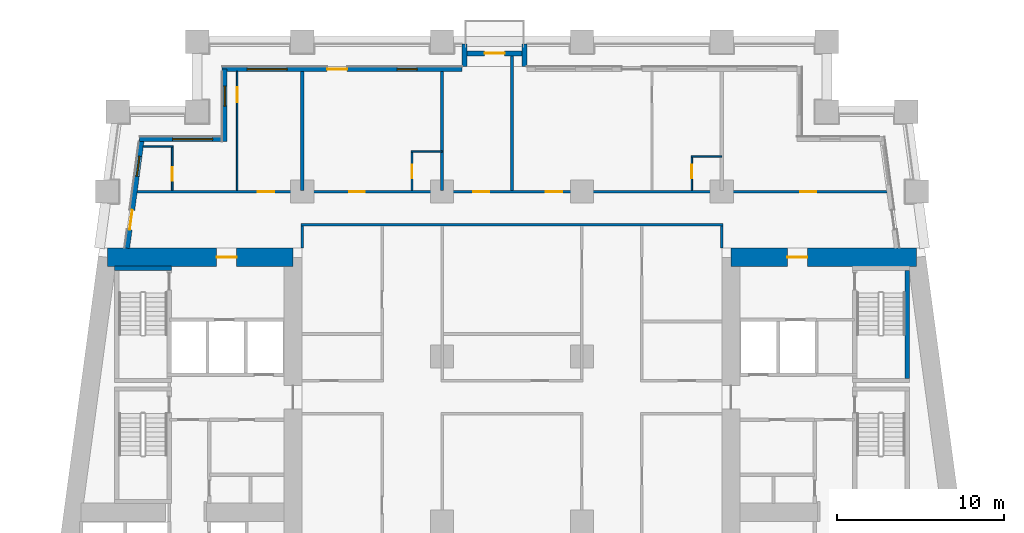
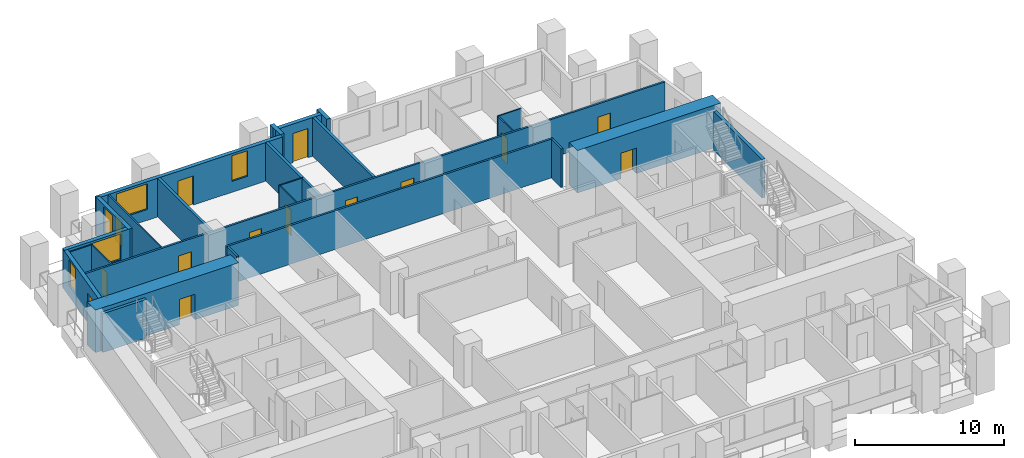
# One storey, part 6 of 12: 25 walls, 14 doors, 5 windows, 19 openings.
"""IFC4 building model written with IfcOpenShell, lengths in metres."""

from ifc_helpers import new_model, si_unit, direction, frame, frame_2d, origin, place, context, subcontext, project, spatial, rectangle, extrude, material, layer, layer_set, type_object, element, fill, save


model = new_model("IFC4")

# Units and contexts
model_context = context("Model", 3, precision=1e-05, world=origin(), true_north=direction((0.0, 1.0)))
body_context = subcontext(model_context, "Body", "Model", "MODEL_VIEW")
ifc_project = project(units=[si_unit("LENGTHUNIT", "METRE"), si_unit("AREAUNIT", "SQUARE_METRE"), si_unit("VOLUMEUNIT", "CUBIC_METRE"), si_unit("PLANEANGLEUNIT", "RADIAN"), si_unit("MASSUNIT", "GRAM", prefix="KILO")], contexts=[model_context])

# Site, building, storey
site_placement = place(None, origin())
site = spatial("IfcSite", under=ifc_project, at=site_placement, CompositionType="ELEMENT")
building_placement = place(site_placement, origin())
building = spatial("IfcBuilding", under=site, at=building_placement, Name="Candeia Pilgrim Tower and Theatre", CompositionType="ELEMENT")
storey_placement = place(building_placement, frame((0.0, 0.0, 46.0)))
storey = spatial("IfcBuildingStorey", under=building, at=storey_placement, Name="L08", CompositionType="ELEMENT", Elevation=46.0)

# Wall, opening, door
ifc_material_1 = material(Name="Concrete C80/95", Category="concrete")
ifc_layer_1 = layer(ifc_material_1, 1.10009765625)
ifc_layer_set_1 = layer_set([ifc_layer_1], Name="Core wall 1100 C80/95")
wall_type_1 = type_object("IfcWallType", Name="Core wall 1100 C80/95", PredefinedType="SHEAR", material=ifc_layer_set_1)
wall_1_placement = place(storey_placement, frame((89.111572265625, 131.85009765625, 0.0), z_axis=(0.0, 0.0, 1.0), x_axis=(1.0, 0.0, 0.0)))
wall_1 = element("IfcWall", 1, at=wall_1_placement, inside=storey, type_object=wall_type_1, Name="Core wall W1", PredefinedType="SHEAR", context=body_context, shape_type="SweptSolid", body=[
    extrude(rectangle(XDim=11.138427734375, YDim=1.10009765625, at=frame_2d((5.5693359375, 0.0))), origin(), (0.0, 0.0, 1.0), 3.5),
])
opening_1_placement = place(wall_1_placement, frame((6.5517578125, 0.0, 0.0)))
opening_1 = element("IfcOpeningElement", 2, at=opening_1_placement, cuts=wall_1, Name="Opening L08-D054", PredefinedType="OPENING", context=body_context, shape_type="SweptSolid", body=[
    extrude(rectangle(XDim=1.199951171875, YDim=2.10009765625, at=frame_2d((0.60009765625, 1.050048828125))), frame((0.0, 0.56005859375, 0.0), z_axis=(0.0, -1.0, 0.0), x_axis=(1.0, 0.0, 0.0)), (0.0, 0.0, 1.0), 1.1201171875),
])
ifc_material_2 = material(Name="Steel fire door set", Category="steel")
door_type_1 = type_object("IfcDoorType", Name="D-1200-FD60", OperationType="NOTDEFINED", PredefinedType="DOOR", material=ifc_material_2)
door_1_placement = place(opening_1_placement, origin())
door_1 = element("IfcDoor", 3, at=door_1_placement, inside=storey, type_object=door_type_1, Name="Door L08-D054", OperationType="SINGLE_SWING_RIGHT", OverallHeight=2.10009765625, OverallWidth=1.199951171875, PredefinedType="DOOR", context=body_context, shape_type="SweptSolid", body=[
    extrude(rectangle(XDim=1.199951171875, YDim=2.10009765625, at=frame_2d((0.60009765625, 1.050048828125))), frame((0.0, 0.02490234375, 0.0), z_axis=(0.0, -1.0, 0.0), x_axis=(1.0, 0.0, 0.0)), (0.0, 0.0, 1.0), 0.050048828125),
])
fill(opening_1, door_1)

wall_2_placement = place(storey_placement, frame((126.550048828125, 131.85009765625, 0.0), z_axis=(0.0, 0.0, 1.0), x_axis=(1.0, 0.0, 0.0)))
wall_2 = element("IfcWall", 4, at=wall_2_placement, inside=storey, type_object=wall_type_1, Name="Core wall E1", PredefinedType="SHEAR", context=body_context, shape_type="SweptSolid", body=[
    extrude(rectangle(XDim=11.13818359375, YDim=1.10009765625, at=frame_2d((5.569091796875, 0.0))), origin(), (0.0, 0.0, 1.0), 3.5),
])
opening_2_placement = place(wall_2_placement, frame((3.386474609375, 0.0, 0.0)))
opening_2 = element("IfcOpeningElement", 5, at=opening_2_placement, cuts=wall_2, Name="Opening L08-D057", PredefinedType="OPENING", context=body_context, shape_type="SweptSolid", body=[
    extrude(rectangle(XDim=1.199951171875, YDim=2.10009765625, at=frame_2d((0.60009765625, 1.050048828125))), frame((0.0, 0.56005859375, 0.0), z_axis=(0.0, -1.0, 0.0), x_axis=(1.0, 0.0, 0.0)), (0.0, 0.0, 1.0), 1.1201171875),
])
door_2_placement = place(opening_2_placement, origin())
door_2 = element("IfcDoor", 6, at=door_2_placement, inside=storey, type_object=door_type_1, Name="Door L08-D057", OperationType="SINGLE_SWING_LEFT", OverallHeight=2.10009765625, OverallWidth=1.199951171875, PredefinedType="DOOR", context=body_context, shape_type="SweptSolid", body=[
    extrude(rectangle(XDim=1.199951171875, YDim=2.10009765625, at=frame_2d((0.60009765625, 1.050048828125))), frame((0.0, 0.02490234375, 0.0), z_axis=(0.0, -1.0, 0.0), x_axis=(1.0, 0.0, 0.0)), (0.0, 0.0, 1.0), 0.050048828125),
])
fill(opening_2, door_2)

# Wall, openings, door, windows
ifc_material_3 = material(Name="Ceramic block masonry", Category="masonry")
ifc_layer_2 = layer(ifc_material_3, 0.300048828125)
ifc_layer_set_2 = layer_set([ifc_layer_2], Name="EW1 glazing-line wall 300")
wall_type_2 = type_object("IfcWallType", Name="EW1 glazing-line wall 300", PredefinedType="SOLIDWALL", material=ifc_layer_set_2)
wall_3_placement = place(storey_placement, frame((110.39990234375, 143.14990234375, 0.0), z_axis=(0.0, 0.0, 1.0), x_axis=(-1.0, 0.0, 0.0)))
wall_3 = element("IfcWall", 7, at=wall_3_placement, inside=storey, type_object=wall_type_2, Name="External wall L08-6.1", PredefinedType="SOLIDWALL", context=body_context, shape_type="SweptSolid", body=[
    extrude(rectangle(XDim=14.39990234375, YDim=0.300048828125, at=frame_2d((7.199951171875, 0.0))), origin(), (0.0, 0.0, 1.0), 3.179931640625),
])
opening_3_placement = place(wall_3_placement, frame((2.699951171875, 0.0, 0.89990234375)))
opening_3 = element("IfcOpeningElement", 8, at=opening_3_placement, cuts=wall_3, Name="Opening W-B", PredefinedType="OPENING", context=body_context, shape_type="SweptSolid", body=[
    extrude(rectangle(XDim=1.199951171875, YDim=2.10009765625, at=frame_2d((0.60009765625, 1.050048828125))), frame((0.0, 0.16015625, 0.0), z_axis=(0.0, -1.0, 0.0), x_axis=(1.0, 0.0, 0.0)), (0.0, 0.0, 1.0), 0.320068359375),
])
opening_4_placement = place(wall_3_placement, frame((6.89990234375, 0.0, 0.0)))
opening_4 = element("IfcOpeningElement", 9, at=opening_4_placement, cuts=wall_3, Name="Opening L08-ED105", PredefinedType="OPENING", context=body_context, shape_type="SweptSolid", body=[
    extrude(rectangle(XDim=1.199951171875, YDim=2.39990234375, at=frame_2d((0.60009765625, 1.199951171875))), frame((0.0, 0.16015625, 0.0), z_axis=(0.0, -1.0, 0.0), x_axis=(1.0, 0.0, 0.0)), (0.0, 0.0, 1.0), 0.320068359375),
])
opening_5_placement = place(wall_3_placement, frame((10.5, 0.0, 0.89990234375)))
opening_5 = element("IfcOpeningElement", 10, at=opening_5_placement, cuts=wall_3, Name="Opening W-A", PredefinedType="OPENING", context=body_context, shape_type="SweptSolid", body=[
    extrude(rectangle(XDim=2.39990234375, YDim=2.10009765625, at=frame_2d((1.199951171875, 1.050048828125))), frame((0.0, 0.16015625, 0.0), z_axis=(0.0, -1.0, 0.0), x_axis=(1.0, 0.0, 0.0)), (0.0, 0.0, 1.0), 0.320068359375),
])
ifc_material_4 = material(Name="Aluminium framed glazed door", Category="aluminium")
door_type_2 = type_object("IfcDoorType", Name="Loggia door 1200x2400", OperationType="DOUBLE_DOOR_SINGLE_SWING", PredefinedType="DOOR", material=ifc_material_4)
door_3_placement = place(opening_4_placement, origin())
door_3 = element("IfcDoor", 11, at=door_3_placement, inside=storey, type_object=door_type_2, Name="Loggia door L08-ED105", OperationType="DOUBLE_DOOR_SINGLE_SWING", OverallHeight=2.39990234375, OverallWidth=1.199951171875, PredefinedType="DOOR", context=body_context, shape_type="SweptSolid", body=[
    extrude(rectangle(XDim=1.199951171875, YDim=2.39990234375, at=frame_2d((0.60009765625, 1.199951171875))), frame((0.0, 0.02490234375, 0.0), z_axis=(0.0, -1.0, 0.0), x_axis=(1.0, 0.0, 0.0)), (0.0, 0.0, 1.0), 0.050048828125),
])
fill(opening_4, door_3)
ifc_material_5 = material(Name="Aluminium framed double glazing", Category="aluminium")
window_type_1 = type_object("IfcWindowType", Name="W-A window 2400x2100", PartitioningType="DOUBLE_PANEL_VERTICAL", PredefinedType="WINDOW", material=ifc_material_5)
window_1_placement = place(opening_5_placement, origin())
window_1 = element("IfcWindow", 12, at=window_1_placement, inside=storey, type_object=window_type_1, Name="Window W-A L08", OverallHeight=2.10009765625, OverallWidth=2.39990234375, PartitioningType="SINGLE_PANEL", PredefinedType="WINDOW", context=body_context, shape_type="SweptSolid", body=[
    extrude(rectangle(XDim=2.39990234375, YDim=2.10009765625, at=frame_2d((1.199951171875, 1.050048828125))), frame((0.0, 0.030029296875, 0.0), z_axis=(0.0, -1.0, 0.0), x_axis=(1.0, 0.0, 0.0)), (0.0, 0.0, 1.0), 0.06005859375),
])
fill(opening_5, window_1)
window_type_2 = type_object("IfcWindowType", Name="W-B window 1200x2100", PartitioningType="SINGLE_PANEL", PredefinedType="WINDOW", material=ifc_material_5)
window_2_placement = place(opening_3_placement, origin())
window_2 = element("IfcWindow", 13, at=window_2_placement, inside=storey, type_object=window_type_2, Name="Window W-B L08", OverallHeight=2.10009765625, OverallWidth=1.199951171875, PartitioningType="SINGLE_PANEL", PredefinedType="WINDOW", context=body_context, shape_type="SweptSolid", body=[
    extrude(rectangle(XDim=1.199951171875, YDim=2.10009765625, at=frame_2d((0.60009765625, 1.050048828125))), frame((0.0, 0.030029296875, 0.0), z_axis=(0.0, -1.0, 0.0), x_axis=(1.0, 0.0, 0.0)), (0.0, 0.0, 1.0), 0.06005859375),
])
fill(opening_3, window_2)

# Wall, opening, window
wall_4_placement = place(storey_placement, frame((96.14990234375, 143.14990234375, 0.0), z_axis=(0.0, 0.0, 1.0), x_axis=(0.0, -1.0, 0.0)))
wall_4 = element("IfcWall", 14, at=wall_4_placement, inside=storey, type_object=wall_type_2, Name="External wall L08-7.0", PredefinedType="SOLIDWALL", context=body_context, shape_type="SweptSolid", body=[
    extrude(rectangle(XDim=4.349853515625, YDim=0.300048828125, at=frame_2d((2.1748046875, 0.0))), origin(), (0.0, 0.0, 1.0), 3.179931640625),
])
opening_6_placement = place(wall_4_placement, frame((1.02490234375, 0.0, 0.89990234375)))
opening_6 = element("IfcOpeningElement", 15, at=opening_6_placement, cuts=wall_4, Name="Opening W-B", PredefinedType="OPENING", context=body_context, shape_type="SweptSolid", body=[
    extrude(rectangle(XDim=1.199951171875, YDim=2.10009765625, at=frame_2d((0.60009765625, 1.050048828125))), frame((0.0, 0.16015625, 0.0), z_axis=(0.0, -1.0, 0.0), x_axis=(1.0, 0.0, 0.0)), (0.0, 0.0, 1.0), 0.320068359375),
])
window_3_placement = place(opening_6_placement, origin())
window_3 = element("IfcWindow", 16, at=window_3_placement, inside=storey, type_object=window_type_2, Name="Window W-B L08", OverallHeight=2.10009765625, OverallWidth=1.199951171875, PartitioningType="SINGLE_PANEL", PredefinedType="WINDOW", context=body_context, shape_type="SweptSolid", body=[
    extrude(rectangle(XDim=1.199951171875, YDim=2.10009765625, at=frame_2d((0.60009765625, 1.050048828125))), frame((0.0, 0.030029296875, 0.0), z_axis=(0.0, -1.0, 0.0), x_axis=(1.0, 0.0, 0.0)), (0.0, 0.0, 1.0), 0.06005859375),
])
fill(opening_6, window_3)

wall_5_placement = place(storey_placement, frame((96.14990234375, 138.949951171875, 0.0), z_axis=(0.0, 0.0, 1.0), x_axis=(-1.0, 0.0, 0.0)))
wall_5 = element("IfcWall", 17, at=wall_5_placement, inside=storey, type_object=wall_type_2, Name="External wall L08-8.0", PredefinedType="SOLIDWALL", context=body_context, shape_type="SweptSolid", body=[
    extrude(rectangle(XDim=5.103759765625, YDim=0.300048828125, at=frame_2d((2.5517578125, 0.0))), origin(), (0.0, 0.0, 1.0), 3.179931640625),
])
opening_7_placement = place(wall_5_placement, frame((0.72509765625, 0.0, 0.89990234375)))
opening_7 = element("IfcOpeningElement", 18, at=opening_7_placement, cuts=wall_5, Name="Opening W-A", PredefinedType="OPENING", context=body_context, shape_type="SweptSolid", body=[
    extrude(rectangle(XDim=2.39990234375, YDim=2.10009765625, at=frame_2d((1.199951171875, 1.050048828125))), frame((0.0, 0.16015625, 0.0), z_axis=(0.0, -1.0, 0.0), x_axis=(1.0, 0.0, 0.0)), (0.0, 0.0, 1.0), 0.320068359375),
])
window_4_placement = place(opening_7_placement, origin())
window_4 = element("IfcWindow", 19, at=window_4_placement, inside=storey, type_object=window_type_1, Name="Window W-A L08", OverallHeight=2.10009765625, OverallWidth=2.39990234375, PartitioningType="SINGLE_PANEL", PredefinedType="WINDOW", context=body_context, shape_type="SweptSolid", body=[
    extrude(rectangle(XDim=2.39990234375, YDim=2.10009765625, at=frame_2d((1.199951171875, 1.050048828125))), frame((0.0, 0.030029296875, 0.0), z_axis=(0.0, -1.0, 0.0), x_axis=(1.0, 0.0, 0.0)), (0.0, 0.0, 1.0), 0.06005859375),
])
fill(opening_7, window_4)

# Wall, openings, door, window
wall_6_placement = place(storey_placement, frame((91.177490234375, 138.949951171875, 0.0), z_axis=(0.0, 0.0, 1.0), x_axis=(-0.133426664613, -0.991058689065, 0.0)))
wall_6 = element("IfcWall", 20, at=wall_6_placement, inside=storey, type_object=wall_type_2, Name="External wall L08-9.0", PredefinedType="SOLIDWALL", context=body_context, shape_type="SweptSolid", body=[
    extrude(rectangle(XDim=6.609130859375, YDim=0.300048828125, at=frame_2d((3.3046875, 0.0))), origin(), (0.0, 0.0, 1.0), 3.179931640625),
])
opening_8_placement = place(wall_6_placement, frame((1.039306640625, 0.0, 0.89990234375)))
opening_8 = element("IfcOpeningElement", 21, at=opening_8_placement, cuts=wall_6, Name="Opening W-B", PredefinedType="OPENING", context=body_context, shape_type="SweptSolid", body=[
    extrude(rectangle(XDim=1.199951171875, YDim=2.10009765625, at=frame_2d((0.60009765625, 1.050048828125))), frame((0.0, 0.16015625, 0.0), z_axis=(0.0, -1.0, 0.0), x_axis=(1.0, 0.0, 0.0)), (0.0, 0.0, 1.0), 0.320068359375),
])
opening_9_placement = place(wall_6_placement, frame((4.293701171875, 0.0, 0.0)))
opening_9 = element("IfcOpeningElement", 22, at=opening_9_placement, cuts=wall_6, Name="Opening L08-ED107", PredefinedType="OPENING", context=body_context, shape_type="SweptSolid", body=[
    extrude(rectangle(XDim=1.199951171875, YDim=2.39990234375, at=frame_2d((0.60009765625, 1.199951171875))), frame((0.0, 0.16015625, 0.0), z_axis=(0.0, -1.0, 0.0), x_axis=(1.0, 0.0, 0.0)), (0.0, 0.0, 1.0), 0.320068359375),
])
door_4_placement = place(opening_9_placement, origin())
door_4 = element("IfcDoor", 23, at=door_4_placement, inside=storey, type_object=door_type_2, Name="Loggia door L08-ED107", OperationType="DOUBLE_DOOR_SINGLE_SWING", OverallHeight=2.39990234375, OverallWidth=1.199951171875, PredefinedType="DOOR", context=body_context, shape_type="SweptSolid", body=[
    extrude(rectangle(XDim=1.199951171875, YDim=2.39990234375, at=frame_2d((0.60009765625, 1.199951171875))), frame((0.0, 0.02490234375, 0.0), z_axis=(0.0, -1.0, 0.0), x_axis=(1.0, 0.0, 0.0)), (0.0, 0.0, 1.0), 0.050048828125),
])
fill(opening_9, door_4)
window_5_placement = place(opening_8_placement, origin())
window_5 = element("IfcWindow", 24, at=window_5_placement, inside=storey, type_object=window_type_2, Name="Window W-B L08", OverallHeight=2.10009765625, OverallWidth=1.199951171875, PartitioningType="SINGLE_PANEL", PredefinedType="WINDOW", context=body_context, shape_type="SweptSolid", body=[
    extrude(rectangle(XDim=1.199951171875, YDim=2.10009765625, at=frame_2d((0.60009765625, 1.050048828125))), frame((0.0, 0.030029296875, 0.0), z_axis=(0.0, -1.0, 0.0), x_axis=(1.0, 0.0, 0.0)), (0.0, 0.0, 1.0), 0.06005859375),
])
fill(opening_8, window_5)

# Walls
ifc_layer_3 = layer(ifc_material_3, 0.300048828125)
ifc_layer_set_3 = layer_set([ifc_layer_3], Name="EW2 entrance infill wall 300")
wall_type_3 = type_object("IfcWallType", Name="EW2 entrance infill wall 300", PredefinedType="SOLIDWALL", material=ifc_layer_set_3)
for number, where, z_axis, x_axis, name in (
    (25, (114.14990234375, 143.300048828125, 0.0), (0.0, 0.0, 1.0), (0.0, 1.0, 0.0), "Alcove wall L08"),
    (26, (110.550048828125, 143.300048828125, 0.0), (0.0, 0.0, 1.0), (0.0, 1.0, 0.0), "Alcove wall L08"),
):
    element("IfcWall", number, at=place(storey_placement, frame(where, z_axis=z_axis, x_axis=x_axis)), inside=storey, type_object=wall_type_3, Name=name, PredefinedType="SOLIDWALL", context=body_context, shape_type="SweptSolid", body=[
        extrude(rectangle(XDim=1.349853515625, YDim=0.300048828125, at=frame_2d((0.6748046875, 0.0))), origin(), (0.0, 0.0, 1.0), 3.179931640625),
    ])

# Wall, opening, door
wall_7_placement = place(storey_placement, frame((114.300048828125, 144.10009765625, 0.0), z_axis=(0.0, 0.0, 1.0), x_axis=(-1.0, 0.0, 0.0)))
wall_7 = element("IfcWall", 27, at=wall_7_placement, inside=storey, type_object=wall_type_3, Name="Alcove wall L08", PredefinedType="SOLIDWALL", context=body_context, shape_type="SweptSolid", body=[
    extrude(rectangle(XDim=3.900146484375, YDim=0.300048828125, at=frame_2d((1.9501953125, 0.0))), origin(), (0.0, 0.0, 1.0), 3.179931640625),
])
opening_10_placement = place(wall_7_placement, frame((1.35009765625, 0.0, 0.0)))
opening_10 = element("IfcOpeningElement", 28, at=opening_10_placement, cuts=wall_7, Name="Opening L08-ED106", PredefinedType="OPENING", context=body_context, shape_type="SweptSolid", body=[
    extrude(rectangle(XDim=1.199951171875, YDim=2.39990234375, at=frame_2d((0.60009765625, 1.199951171875))), frame((0.0, 0.16015625, 0.0), z_axis=(0.0, -1.0, 0.0), x_axis=(1.0, 0.0, 0.0)), (0.0, 0.0, 1.0), 0.320068359375),
])
door_5_placement = place(opening_10_placement, origin())
door_5 = element("IfcDoor", 29, at=door_5_placement, inside=storey, type_object=door_type_2, Name="Balcony door L08-ED106", OperationType="DOUBLE_DOOR_SINGLE_SWING", OverallHeight=2.39990234375, OverallWidth=1.199951171875, PredefinedType="DOOR", context=body_context, shape_type="SweptSolid", body=[
    extrude(rectangle(XDim=1.199951171875, YDim=2.39990234375, at=frame_2d((0.60009765625, 1.199951171875))), frame((0.0, 0.02490234375, 0.0), z_axis=(0.0, -1.0, 0.0), x_axis=(1.0, 0.0, 0.0)), (0.0, 0.0, 1.0), 0.050048828125),
])
fill(opening_10, door_5)

# Walls
ifc_material_6 = material(Name="Gypsum board partition on steel studs", Category="steel")
ifc_layer_4 = layer(ifc_material_6, 0.10009765625)
ifc_layer_set_4 = layer_set([ifc_layer_4], Name="PW-100 room partition")
wall_type_4 = type_object("IfcWallType", Name="PW-100 room partition", PredefinedType="PARTITIONING", material=ifc_layer_set_4)
wall_8_placement = place(storey_placement, frame((124.14990234375, 137.89990234375, 0.0), z_axis=(0.0, 0.0, 1.0), x_axis=(1.0, 0.0, 0.0)))
element("IfcWall", 30, at=wall_8_placement, inside=storey, type_object=wall_type_4, Name="Room partition L08-047", PredefinedType="PARTITIONING", context=body_context, shape_type="SweptSolid", body=[
    extrude(rectangle(XDim=1.85009765625, YDim=0.10009765625, at=frame_2d((0.925048828125, 0.0))), origin(), (0.0, 0.0, 1.0), 3.179931640625),
])
wall_9_placement = place(storey_placement, frame((107.35009765625, 138.199951171875, 0.0), z_axis=(0.0, 0.0, 1.0), x_axis=(1.0, 0.0, 0.0)))
element("IfcWall", 31, at=wall_9_placement, inside=storey, type_object=wall_type_4, Name="Room partition L08-048", PredefinedType="PARTITIONING", context=body_context, shape_type="SweptSolid", body=[
    extrude(rectangle(XDim=1.849853515625, YDim=0.10009765625, at=frame_2d((0.9248046875, 0.0))), origin(), (0.0, 0.0, 1.0), 3.179931640625),
])
wall_10_placement = place(storey_placement, frame((91.258056640625, 138.5, 0.0), z_axis=(0.0, 0.0, 1.0), x_axis=(1.0, 0.0, 0.0)))
element("IfcWall", 32, at=wall_10_placement, inside=storey, type_object=wall_type_4, Name="Room partition L08-049", PredefinedType="PARTITIONING", context=body_context, shape_type="SweptSolid", body=[
    extrude(rectangle(XDim=1.7919921875, YDim=0.10009765625, at=frame_2d((0.89599609375, 0.0))), origin(), (0.0, 0.0, 1.0), 3.179931640625),
])

# Wall, opening, door
wall_11_placement = place(storey_placement, frame((93.0, 135.875, 0.0), z_axis=(0.0, 0.0, 1.0), x_axis=(0.0, 1.0, 0.0)))
wall_11 = element("IfcWall", 33, at=wall_11_placement, inside=storey, type_object=wall_type_4, Name="Room partition L08-062", PredefinedType="PARTITIONING", context=body_context, shape_type="SweptSolid", body=[
    extrude(rectangle(XDim=2.574951171875, YDim=0.10009765625, at=frame_2d((1.28759765625, 0.0))), origin(), (0.0, 0.0, 1.0), 3.179931640625),
])
opening_11_placement = place(wall_11_placement, frame((0.574951171875, 0.0, 0.0)))
opening_11 = element("IfcOpeningElement", 34, at=opening_11_placement, cuts=wall_11, Name="Opening L08-D033", PredefinedType="OPENING", context=body_context, shape_type="SweptSolid", body=[
    extrude(rectangle(XDim=0.800048828125, YDim=2.10009765625, at=frame_2d((0.39990234375, 1.050048828125))), frame((0.0, 0.06005859375, 0.0), z_axis=(0.0, -1.0, 0.0), x_axis=(1.0, 0.0, 0.0)), (0.0, 0.0, 1.0), 0.1201171875),
])
ifc_material_7 = material(Name="Timber door leaf", Category="wood")
door_type_3 = type_object("IfcDoorType", Name="D-800", OperationType="NOTDEFINED", PredefinedType="DOOR", material=ifc_material_7)
door_6_placement = place(opening_11_placement, origin())
door_6 = element("IfcDoor", 35, at=door_6_placement, inside=storey, type_object=door_type_3, Name="Door L08-D033", OperationType="SINGLE_SWING_LEFT", OverallHeight=2.10009765625, OverallWidth=0.800048828125, PredefinedType="DOOR", context=body_context, shape_type="SweptSolid", body=[
    extrude(rectangle(XDim=0.800048828125, YDim=2.10009765625, at=frame_2d((0.39990234375, 1.050048828125))), frame((0.0, 0.02490234375, 0.0), z_axis=(0.0, -1.0, 0.0), x_axis=(1.0, 0.0, 0.0)), (0.0, 0.0, 1.0), 0.050048828125),
])
fill(opening_11, door_6)

wall_12_placement = place(storey_placement, frame((96.89990234375, 135.875, 0.0), z_axis=(0.0, 0.0, 1.0), x_axis=(0.0, 1.0, 0.0)))
wall_12 = element("IfcWall", 36, at=wall_12_placement, inside=storey, type_object=wall_type_4, Name="Room partition L08-068", PredefinedType="PARTITIONING", context=body_context, shape_type="SweptSolid", body=[
    extrude(rectangle(XDim=7.135009765625, YDim=0.10009765625, at=frame_2d((3.5673828125, 0.0))), origin(), (0.0, 0.0, 1.0), 3.179931640625),
])
opening_12_placement = place(wall_12_placement, frame((5.2900390625, 0.0, 0.0)))
opening_12 = element("IfcOpeningElement", 37, at=opening_12_placement, cuts=wall_12, Name="Opening L08-D032", PredefinedType="OPENING", context=body_context, shape_type="SweptSolid", body=[
    extrude(rectangle(XDim=0.89990234375, YDim=2.10009765625, at=frame_2d((0.449951171875, 1.050048828125))), frame((0.0, 0.06005859375, 0.0), z_axis=(0.0, -1.0, 0.0), x_axis=(1.0, 0.0, 0.0)), (0.0, 0.0, 1.0), 0.1201171875),
])
door_type_4 = type_object("IfcDoorType", Name="D-900", OperationType="NOTDEFINED", PredefinedType="DOOR", material=ifc_material_7)
door_7_placement = place(opening_12_placement, origin())
door_7 = element("IfcDoor", 38, at=door_7_placement, inside=storey, type_object=door_type_4, Name="Door L08-D032", OperationType="SINGLE_SWING_RIGHT", OverallHeight=2.10009765625, OverallWidth=0.89990234375, PredefinedType="DOOR", context=body_context, shape_type="SweptSolid", body=[
    extrude(rectangle(XDim=0.89990234375, YDim=2.10009765625, at=frame_2d((0.449951171875, 1.050048828125))), frame((0.0, 0.02490234375, 0.0), z_axis=(0.0, -1.0, 0.0), x_axis=(1.0, 0.0, 0.0)), (0.0, 0.0, 1.0), 0.050048828125),
])
fill(opening_12, door_7)

wall_13_placement = place(storey_placement, frame((107.39990234375, 135.875, 0.0), z_axis=(0.0, 0.0, 1.0), x_axis=(0.0, 1.0, 0.0)))
wall_13 = element("IfcWall", 39, at=wall_13_placement, inside=storey, type_object=wall_type_4, Name="Room partition L08-079", PredefinedType="PARTITIONING", context=body_context, shape_type="SweptSolid", body=[
    extrude(rectangle(XDim=2.27490234375, YDim=0.10009765625, at=frame_2d((1.137451171875, 0.0))), origin(), (0.0, 0.0, 1.0), 3.179931640625),
])
opening_13_placement = place(wall_13_placement, frame((0.72509765625, 0.0, 0.0)))
opening_13 = element("IfcOpeningElement", 40, at=opening_13_placement, cuts=wall_13, Name="Opening L08-D035", PredefinedType="OPENING", context=body_context, shape_type="SweptSolid", body=[
    extrude(rectangle(XDim=0.800048828125, YDim=2.10009765625, at=frame_2d((0.39990234375, 1.050048828125))), frame((0.0, 0.06005859375, 0.0), z_axis=(0.0, -1.0, 0.0), x_axis=(1.0, 0.0, 0.0)), (0.0, 0.0, 1.0), 0.1201171875),
])
door_8_placement = place(opening_13_placement, origin())
door_8 = element("IfcDoor", 41, at=door_8_placement, inside=storey, type_object=door_type_3, Name="Door L08-D035", OperationType="SINGLE_SWING_LEFT", OverallHeight=2.10009765625, OverallWidth=0.800048828125, PredefinedType="DOOR", context=body_context, shape_type="SweptSolid", body=[
    extrude(rectangle(XDim=0.800048828125, YDim=2.10009765625, at=frame_2d((0.39990234375, 1.050048828125))), frame((0.0, 0.02490234375, 0.0), z_axis=(0.0, -1.0, 0.0), x_axis=(1.0, 0.0, 0.0)), (0.0, 0.0, 1.0), 0.050048828125),
])
fill(opening_13, door_8)

wall_14_placement = place(storey_placement, frame((124.199951171875, 135.875, 0.0), z_axis=(0.0, 0.0, 1.0), x_axis=(0.0, 1.0, 0.0)))
wall_14 = element("IfcWall", 42, at=wall_14_placement, inside=storey, type_object=wall_type_4, Name="Room partition L08-096", PredefinedType="PARTITIONING", context=body_context, shape_type="SweptSolid", body=[
    extrude(rectangle(XDim=1.97509765625, YDim=0.10009765625, at=frame_2d((0.987548828125, 0.0))), origin(), (0.0, 0.0, 1.0), 3.179931640625),
])
opening_14_placement = place(wall_14_placement, frame((0.72509765625, 0.0, 0.0)))
opening_14 = element("IfcOpeningElement", 43, at=opening_14_placement, cuts=wall_14, Name="Opening L08-D039", PredefinedType="OPENING", context=body_context, shape_type="SweptSolid", body=[
    extrude(rectangle(XDim=0.800048828125, YDim=2.10009765625, at=frame_2d((0.39990234375, 1.050048828125))), frame((0.0, 0.06005859375, 0.0), z_axis=(0.0, -1.0, 0.0), x_axis=(1.0, 0.0, 0.0)), (0.0, 0.0, 1.0), 0.1201171875),
])
door_9_placement = place(opening_14_placement, origin())
door_9 = element("IfcDoor", 44, at=door_9_placement, inside=storey, type_object=door_type_3, Name="Door L08-D039", OperationType="SINGLE_SWING_LEFT", OverallHeight=2.10009765625, OverallWidth=0.800048828125, PredefinedType="DOOR", context=body_context, shape_type="SweptSolid", body=[
    extrude(rectangle(XDim=0.800048828125, YDim=2.10009765625, at=frame_2d((0.39990234375, 1.050048828125))), frame((0.0, 0.02490234375, 0.0), z_axis=(0.0, -1.0, 0.0), x_axis=(1.0, 0.0, 0.0)), (0.0, 0.0, 1.0), 0.050048828125),
])
fill(opening_14, door_9)

# Wall
ifc_layer_5 = layer(ifc_material_6, 0.14990234375)
ifc_layer_set_5 = layer_set([ifc_layer_5], Name="PW-150 unit wall")
wall_type_5 = type_object("IfcWallType", Name="PW-150 unit wall", PredefinedType="PARTITIONING", material=ifc_layer_set_5)
wall_15_placement = place(storey_placement, frame((100.72509765625, 133.800048828125, 0.0), z_axis=(0.0, 0.0, 1.0), x_axis=(1.0, 0.0, 0.0)))
element("IfcWall", 45, at=wall_15_placement, inside=storey, type_object=wall_type_5, Name="Unit wall L08-045", PredefinedType="PARTITIONING", context=body_context, shape_type="SweptSolid", body=[
    extrude(rectangle(XDim=25.349853515625, YDim=0.14990234375, at=frame_2d((12.6748046875, 0.0))), origin(), (0.0, 0.0, 1.0), 3.179931640625),
])

# Wall, openings, doors
wall_16_placement = place(storey_placement, frame((90.89453125, 135.800048828125, 0.0), z_axis=(0.0, 0.0, 1.0), x_axis=(1.0, 0.0, 0.0)))
wall_16 = element("IfcWall", 46, at=wall_16_placement, inside=storey, type_object=wall_type_5, Name="Unit wall L08-046", PredefinedType="PARTITIONING", context=body_context, shape_type="SweptSolid", body=[
    extrude(rectangle(XDim=45.010986328125, YDim=0.14990234375, at=frame_2d((22.50537109375, 0.0))), origin(), (0.0, 0.0, 1.0), 3.179931640625),
])
opening_15_placement = place(wall_16_placement, frame((7.2353515625, 0.0, 0.0)))
opening_15 = element("IfcOpeningElement", 47, at=opening_15_placement, cuts=wall_16, Name="Opening L08-D031", PredefinedType="OPENING", context=body_context, shape_type="SweptSolid", body=[
    extrude(rectangle(XDim=1.0, YDim=2.10009765625, at=frame_2d((0.5, 1.050048828125))), frame((0.0, 0.0849609375, 0.0), z_axis=(0.0, -1.0, 0.0), x_axis=(1.0, 0.0, 0.0)), (0.0, 0.0, 1.0), 0.169921875),
])
opening_16_placement = place(wall_16_placement, frame((12.73046875, 0.0, 0.0)))
opening_16 = element("IfcOpeningElement", 48, at=opening_16_placement, cuts=wall_16, Name="Opening L08-D034", PredefinedType="OPENING", context=body_context, shape_type="SweptSolid", body=[
    extrude(rectangle(XDim=0.949951171875, YDim=2.10009765625, at=frame_2d((0.47509765625, 1.050048828125))), frame((0.0, 0.0849609375, 0.0), z_axis=(0.0, -1.0, 0.0), x_axis=(1.0, 0.0, 0.0)), (0.0, 0.0, 1.0), 0.169921875),
])
opening_17_placement = place(wall_16_placement, frame((20.185302734375, 0.0, 0.0)))
opening_17 = element("IfcOpeningElement", 49, at=opening_17_placement, cuts=wall_16, Name="Opening L08-D036", PredefinedType="OPENING", context=body_context, shape_type="SweptSolid", body=[
    extrude(rectangle(XDim=0.949951171875, YDim=2.10009765625, at=frame_2d((0.47509765625, 1.050048828125))), frame((0.0, 0.0849609375, 0.0), z_axis=(0.0, -1.0, 0.0), x_axis=(1.0, 0.0, 0.0)), (0.0, 0.0, 1.0), 0.169921875),
])
opening_18_placement = place(wall_16_placement, frame((24.530517578125, 0.0, 0.0)))
opening_18 = element("IfcOpeningElement", 50, at=opening_18_placement, cuts=wall_16, Name="Opening L08-D037", PredefinedType="OPENING", context=body_context, shape_type="SweptSolid", body=[
    extrude(rectangle(XDim=1.0, YDim=2.10009765625, at=frame_2d((0.5, 1.050048828125))), frame((0.0, 0.0849609375, 0.0), z_axis=(0.0, -1.0, 0.0), x_axis=(1.0, 0.0, 0.0)), (0.0, 0.0, 1.0), 0.169921875),
])
opening_19_placement = place(wall_16_placement, frame((39.814453125, 0.0, 0.0)))
opening_19 = element("IfcOpeningElement", 51, at=opening_19_placement, cuts=wall_16, Name="Opening L08-D040", PredefinedType="OPENING", context=body_context, shape_type="SweptSolid", body=[
    extrude(rectangle(XDim=0.949951171875, YDim=2.10009765625, at=frame_2d((0.47509765625, 1.050048828125))), frame((0.0, 0.0849609375, 0.0), z_axis=(0.0, -1.0, 0.0), x_axis=(1.0, 0.0, 0.0)), (0.0, 0.0, 1.0), 0.169921875),
])
door_type_5 = type_object("IfcDoorType", Name="D-1000-FD30S", OperationType="NOTDEFINED", PredefinedType="DOOR", material=ifc_material_2)
door_10_placement = place(opening_15_placement, origin())
door_10 = element("IfcDoor", 52, at=door_10_placement, inside=storey, type_object=door_type_5, Name="Door L08-D031", OperationType="SINGLE_SWING_LEFT", OverallHeight=2.10009765625, OverallWidth=1.0, PredefinedType="DOOR", context=body_context, shape_type="SweptSolid", body=[
    extrude(rectangle(XDim=1.0, YDim=2.10009765625, at=frame_2d((0.5, 1.050048828125))), frame((0.0, 0.02490234375, 0.0), z_axis=(0.0, -1.0, 0.0), x_axis=(1.0, 0.0, 0.0)), (0.0, 0.0, 1.0), 0.050048828125),
])
fill(opening_15, door_10)
door_11_placement = place(opening_18_placement, origin())
door_11 = element("IfcDoor", 53, at=door_11_placement, inside=storey, type_object=door_type_5, Name="Door L08-D037", OperationType="SINGLE_SWING_LEFT", OverallHeight=2.10009765625, OverallWidth=1.0, PredefinedType="DOOR", context=body_context, shape_type="SweptSolid", body=[
    extrude(rectangle(XDim=1.0, YDim=2.10009765625, at=frame_2d((0.5, 1.050048828125))), frame((0.0, 0.02490234375, 0.0), z_axis=(0.0, -1.0, 0.0), x_axis=(1.0, 0.0, 0.0)), (0.0, 0.0, 1.0), 0.050048828125),
])
fill(opening_18, door_11)
door_type_6 = type_object("IfcDoorType", Name="D-950-FD30S", OperationType="NOTDEFINED", PredefinedType="DOOR", material=ifc_material_2)
door_12_placement = place(opening_16_placement, origin())
door_12 = element("IfcDoor", 54, at=door_12_placement, inside=storey, type_object=door_type_6, Name="Door L08-D034", OperationType="SINGLE_SWING_RIGHT", OverallHeight=2.10009765625, OverallWidth=0.949951171875, PredefinedType="DOOR", context=body_context, shape_type="SweptSolid", body=[
    extrude(rectangle(XDim=0.949951171875, YDim=2.10009765625, at=frame_2d((0.47509765625, 1.050048828125))), frame((0.0, 0.02490234375, 0.0), z_axis=(0.0, -1.0, 0.0), x_axis=(1.0, 0.0, 0.0)), (0.0, 0.0, 1.0), 0.050048828125),
])
fill(opening_16, door_12)
door_13_placement = place(opening_17_placement, origin())
door_13 = element("IfcDoor", 55, at=door_13_placement, inside=storey, type_object=door_type_6, Name="Door L08-D036", OperationType="SINGLE_SWING_RIGHT", OverallHeight=2.10009765625, OverallWidth=0.949951171875, PredefinedType="DOOR", context=body_context, shape_type="SweptSolid", body=[
    extrude(rectangle(XDim=0.949951171875, YDim=2.10009765625, at=frame_2d((0.47509765625, 1.050048828125))), frame((0.0, 0.02490234375, 0.0), z_axis=(0.0, -1.0, 0.0), x_axis=(1.0, 0.0, 0.0)), (0.0, 0.0, 1.0), 0.050048828125),
])
fill(opening_17, door_13)
door_14_placement = place(opening_19_placement, origin())
door_14 = element("IfcDoor", 56, at=door_14_placement, inside=storey, type_object=door_type_6, Name="Door L08-D040", OperationType="SINGLE_SWING_RIGHT", OverallHeight=2.10009765625, OverallWidth=0.949951171875, PredefinedType="DOOR", context=body_context, shape_type="SweptSolid", body=[
    extrude(rectangle(XDim=0.949951171875, YDim=2.10009765625, at=frame_2d((0.47509765625, 1.050048828125))), frame((0.0, 0.02490234375, 0.0), z_axis=(0.0, -1.0, 0.0), x_axis=(1.0, 0.0, 0.0)), (0.0, 0.0, 1.0), 0.050048828125),
])
fill(opening_19, door_14)

# Walls
for number, where, z_axis, x_axis, name in (
    (57, (100.800048828125, 132.39990234375, 0.0), (0.0, 0.0, 1.0), (0.0, 1.0, 0.0), "Unit wall L08-075"),
    (58, (126.0, 132.39990234375, 0.0), (0.0, 0.0, 1.0), (0.0, 1.0, 0.0), "Unit wall L08-099"),
):
    element("IfcWall", number, at=place(storey_placement, frame(where, z_axis=z_axis, x_axis=x_axis)), inside=storey, type_object=wall_type_5, Name=name, PredefinedType="PARTITIONING", context=body_context, shape_type="SweptSolid", body=[
        extrude(rectangle(XDim=1.3251953125, YDim=0.14990234375, at=frame_2d((0.66259765625, 0.0))), origin(), (0.0, 0.0, 1.0), 3.179931640625),
    ])
ifc_layer_6 = layer(ifc_material_6, 0.199951171875)
ifc_layer_set_6 = layer_set([ifc_layer_6], Name="PW-200 party wall")
wall_type_6 = type_object("IfcWallType", Name="PW-200 party wall", PredefinedType="PARTITIONING", material=ifc_layer_set_6)
for number, where, z_axis, x_axis, name in (
    (59, (100.800048828125, 135.875, 0.0), (0.0, 0.0, 1.0), (0.0, 1.0, 0.0), "Party wall L08-073"),
    (60, (109.199951171875, 135.875, 0.0), (0.0, 0.0, 1.0), (0.0, 1.0, 0.0), "Party wall L08-081"),
):
    element("IfcWall", number, at=place(storey_placement, frame(where, z_axis=z_axis, x_axis=x_axis)), inside=storey, type_object=wall_type_6, Name=name, PredefinedType="PARTITIONING", context=body_context, shape_type="SweptSolid", body=[
        extrude(rectangle(XDim=7.135009765625, YDim=0.199951171875, at=frame_2d((3.5673828125, 0.0))), origin(), (0.0, 0.0, 1.0), 3.179931640625),
    ])
wall_17_placement = place(storey_placement, frame((113.39990234375, 135.875, 0.0), z_axis=(0.0, 0.0, 1.0), x_axis=(0.0, 1.0, 0.0)))
element("IfcWall", 61, at=wall_17_placement, inside=storey, type_object=wall_type_6, Name="Party wall L08-086", PredefinedType="PARTITIONING", context=body_context, shape_type="SweptSolid", body=[
    extrude(rectangle(XDim=8.0849609375, YDim=0.199951171875, at=frame_2d((4.04248046875, 0.0))), origin(), (0.0, 0.0, 1.0), 3.179931640625),
])
ifc_material_8 = material(Name="Concrete C40/50", Category="concrete")
ifc_layer_7 = layer(ifc_material_8, 0.25)
ifc_layer_set_7 = layer_set([ifc_layer_7], Name="SW-250 stair wall")
wall_type_7 = type_object("IfcWallType", Name="SW-250 stair wall", PredefinedType="PARTITIONING", material=ifc_layer_set_7)
wall_18_placement = place(storey_placement, frame((89.552001953125, 131.199951171875, 0.0), z_axis=(0.0, 0.0, 1.0), x_axis=(1.0, 0.0, 0.0)))
element("IfcWall", 62, at=wall_18_placement, inside=storey, type_object=wall_type_7, Name="Stair wall L08-043", PredefinedType="PARTITIONING", context=body_context, shape_type="SweptSolid", body=[
    extrude(rectangle(XDim=3.39990234375, YDim=0.25, at=frame_2d((1.699951171875, 0.0))), origin(), (0.0, 0.0, 1.0), 3.179931640625),
])
wall_19_placement = place(storey_placement, frame((137.123046875, 124.574951171875, 0.0), z_axis=(0.0, 0.0, 1.0), x_axis=(0.0, 1.0, 0.0)))
element("IfcWall", 63, at=wall_19_placement, inside=storey, type_object=wall_type_7, Name="Stair wall L08-116", PredefinedType="PARTITIONING", context=body_context, shape_type="SweptSolid", body=[
    extrude(rectangle(XDim=6.5, YDim=0.25, at=frame_2d((3.25, 0.0))), origin(), (0.0, 0.0, 1.0), 3.179931640625),
])

save(model, "model.ifc")
